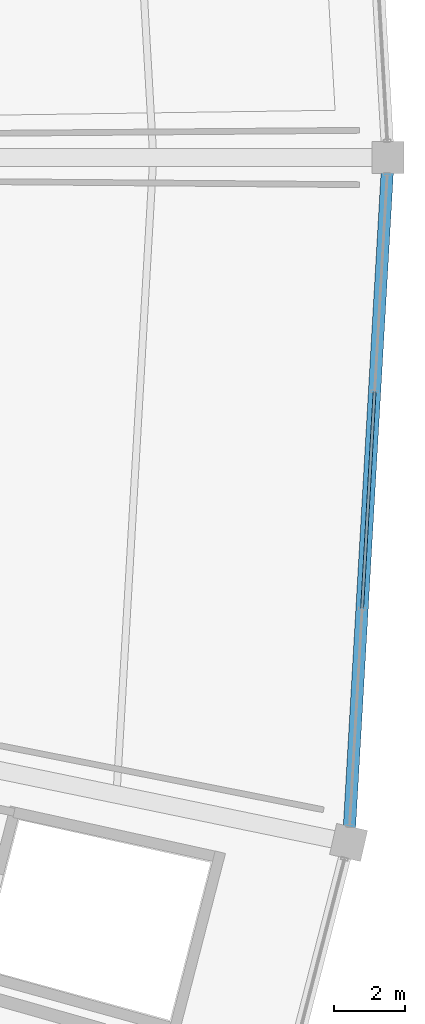
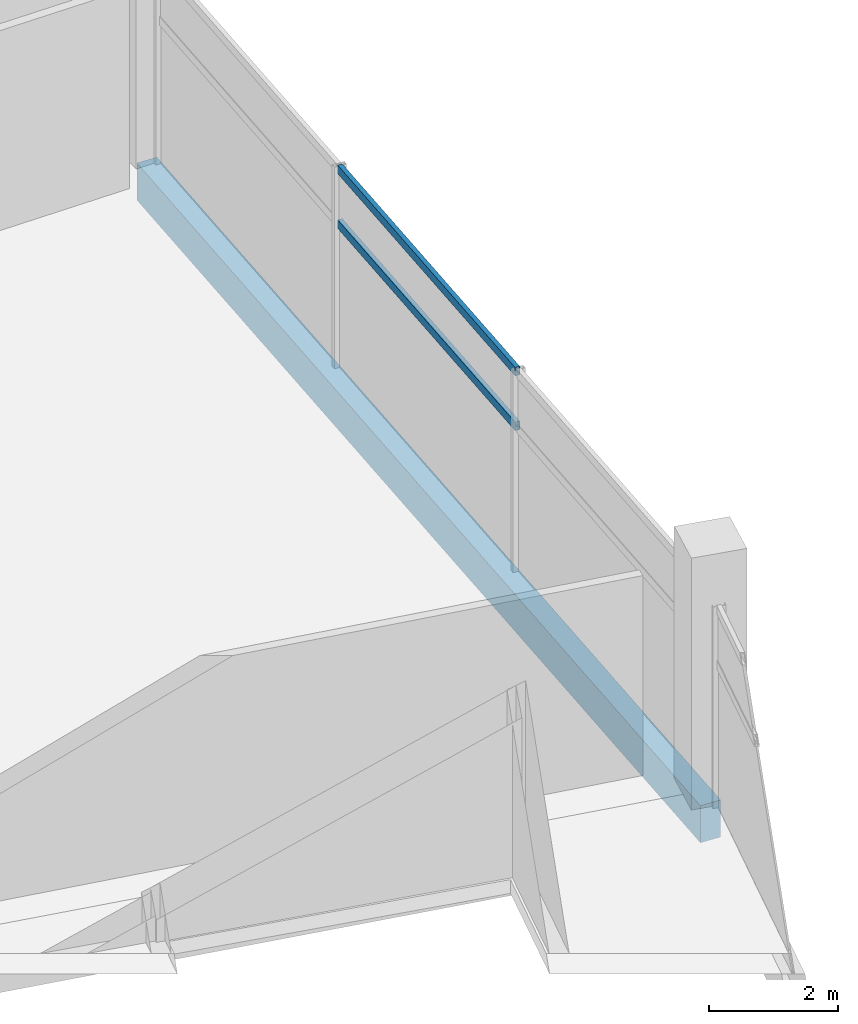
# One storey, part 71 of 171: 2 members, 1 beam, 1 element without a shape of its own.
"""IFC4 building model written with IfcOpenShell, lengths in metres."""

from ifc_helpers import new_model, si_unit, direction, frame, origin, origin_2d, place, context, subcontext, project, spatial, rectangle, hollow_rectangle, extrude, material, layer, layer_set, material_profile, profile_set, type_object, element, aggregate, save


model = new_model("IFC4")

# Units and contexts
model_context = context("Model", 3, precision=1e-05, world=origin(), true_north=direction((0.0, 1.0)))
body_context = subcontext(model_context, "Body", "Model", "MODEL_VIEW")
ifc_project = project(units=[si_unit("LENGTHUNIT", "METRE"), si_unit("AREAUNIT", "SQUARE_METRE"), si_unit("VOLUMEUNIT", "CUBIC_METRE"), si_unit("PLANEANGLEUNIT", "RADIAN"), si_unit("MASSUNIT", "GRAM", prefix="KILO")], contexts=[model_context])

# Site, building, storey
site_placement = place(None, origin())
site = spatial("IfcSite", under=ifc_project, at=site_placement, CompositionType="ELEMENT")
building_placement = place(site_placement, origin())
building = spatial("IfcBuilding", under=site, at=building_placement, Name="Kazemori Nagisa Stadium", CompositionType="ELEMENT")
storey_placement = place(building_placement, frame((0.0, 0.0, 15.639892578125)))
storey = spatial("IfcBuildingStorey", under=building, at=storey_placement, Name="L03", CompositionType="ELEMENT", Elevation=15.639892578125)

# Beam
ifc_material_1 = material(Name="Concrete C40/50 (Fc42)", Category="concrete")
ifc_material_profile_1 = material_profile(ifc_material_1, rectangle(XDim=0.35009765625, YDim=0.699951171875, at=origin_2d()), Name="RC-SP-350x700")
ifc_profile_set_1 = profile_set([ifc_material_profile_1], Name="Concrete C40/50 (Fc42)")
beam_type = type_object("IfcBeamType", Name="Beam_BS-RC350X700", PredefinedType="SPANDREL", material=ifc_profile_set_1)
beam_placement = place(storey_placement, frame((216.880859375, 82.602294921875, -0.60986328125), z_axis=(0.057598702622, 0.998339816624, 0.0), x_axis=(-0.998339816624, 0.057598702622, 0.0)))
element("IfcBeam", 1, at=beam_placement, inside=storey, type_object=beam_type, Name="Ring girder BS-RC350X700 L03 R3-28", PredefinedType="SPANDREL", context=body_context, shape_type="SweptSolid", body=[
    extrude(rectangle(XDim=0.35009765625, YDim=0.699951171875, at=origin_2d()), origin(), (0.0, 0.0, 1.0), 19.429931640625),
])

# Curtain wall, members
ifc_material_2 = material(Name="Anodised aluminium 6063-T5", Category="aluminium")
ifc_layer = layer(ifc_material_2, 0.2099609375, Name="Anodised aluminium 6063-T5", Category="aluminium")
ifc_layer_set = layer_set([ifc_layer], Name="Anodised aluminium 6063-T5")
curtain_wall_type = type_object("IfcCurtainWallType", Name="CW_L03R3_93", PredefinedType="USERDEFINED", material=ifc_layer_set)
curtain_wall_placement = place(storey_placement, origin())
curtain_wall = element("IfcCurtainWall", 2, at=curtain_wall_placement, inside=storey, type_object=curtain_wall_type, Name="Unitised curtain wall CW-L03R3-93 L03", ObjectType="UNITISED CURTAIN WALL", PredefinedType="USERDEFINED")
ifc_material_3 = material(Name="Aluminium 6063-T5 anodised", Category="aluminium")
ifc_material_profile_2 = material_profile(ifc_material_3, hollow_rectangle(XDim=0.080078125, YDim=0.159912109375, WallThickness=0.00390625, at=origin_2d()), Name="ALU-TRAN-80x160x4")
ifc_profile_set_2 = profile_set([ifc_material_profile_2], Name="Aluminium 6063-T5 anodised")
member_type = type_object("IfcMemberType", Name="Transom_T02", PredefinedType="USERDEFINED", material=ifc_profile_set_2)
member_1_placement = place(storey_placement, frame((217.26416015625, 89.246337890625, 2.705322265625), z_axis=(0.057606475429, 0.998339368145, 0.0), x_axis=(-0.998339368145, 0.057606475429, 0.0)))
member_1 = element("IfcMember", 3, at=member_1_placement, type_object=member_type, Name="Curtain wall transom CW-L03R3-93-T2-mid", ObjectType="TRANSOM", PredefinedType="USERDEFINED", context=body_context, shape_type="SweptSolid", body=[
    extrude(hollow_rectangle(XDim=0.080078125, YDim=0.159912109375, WallThickness=0.00390625, at=origin_2d()), origin(), (0.0, 0.0, 1.0), 6.119873046875),
])
member_2_placement = place(storey_placement, frame((217.26416015625, 89.246337890625, 3.739990234375), z_axis=(0.057606475429, 0.998339368145, 0.0), x_axis=(-0.998339368145, 0.057606475429, 0.0)))
member_2 = element("IfcMember", 4, at=member_2_placement, type_object=member_type, Name="Curtain wall transom CW-L03R3-93-T2-head", ObjectType="TRANSOM", PredefinedType="USERDEFINED", context=body_context, shape_type="SweptSolid", body=[
    extrude(hollow_rectangle(XDim=0.080078125, YDim=0.159912109375, WallThickness=0.00390625, at=origin_2d()), origin(), (0.0, 0.0, 1.0), 6.119873046875),
])
aggregate(curtain_wall, [member_1, member_2])

save(model, "model.ifc")
